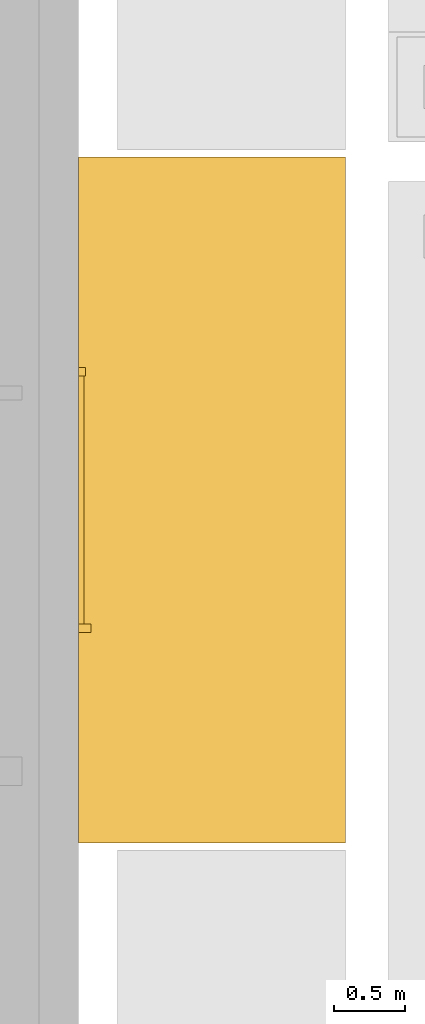
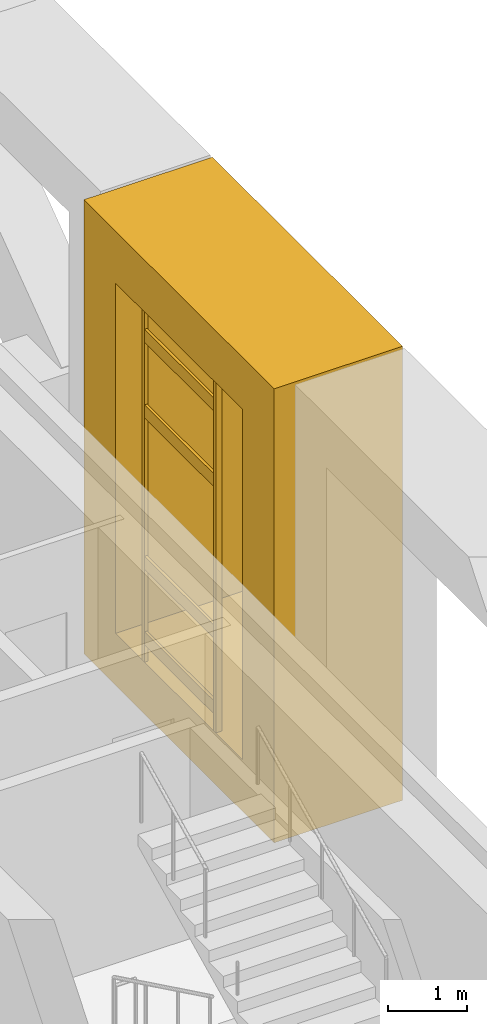
# One storey, part 20 of 22: 7 coverings.
"""IFC4 building model written with IfcOpenShell, lengths in metres."""

import ifcopenshell
import ifcopenshell.guid

model = None  # the IFC model being written
_history = None  # IfcOwnerHistory: only IFC2X3 demands one
_inside = {}  # id of a spatial element -> (the spatial element, [elements in it])
_under = {}  # id of a project, library or spatial element -> (it, [spatial elements below it])
_declared = {}  # id of a project -> (the project, [libraries it declares])
_typed = {}  # id of a type object -> (the type object, [elements of that type])
_made_of = {}  # id of a material, layer set ... -> (it, [elements and type objects made of it])


def new_model(schema):
    """Start an empty IFC model of exactly this schema.

    Asked for "IFC4X3", IfcOpenShell would pick the latest addendum, in which some entities
    have other attributes; the version numbers below select the first issue.
    IFC2X3 requires an IfcOwnerHistory on every rooted entity: one is made here for all.
    """
    global model, _history
    if schema == "IFC4X3":
        model = ifcopenshell.file(schema_version=(4, 3, 0, 0))
    else:
        model = ifcopenshell.file(schema=schema)
    _inside.clear()
    _under.clear()
    _declared.clear()
    _typed.clear()
    _made_of.clear()
    _history = None
    if model.schema == "IFC2X3":
        org = make("IfcOrganization", Name="unknown")
        user = make(
            "IfcPersonAndOrganization",
            ThePerson=make("IfcPerson", FamilyName="unknown"),
            TheOrganization=org,
        )
        app = make(
            "IfcApplication",
            ApplicationDeveloper=org,
            Version="unknown",
            ApplicationFullName="unknown",
            ApplicationIdentifier="unknown",
        )
        _history = make(
            "IfcOwnerHistory",
            OwningUser=user,
            OwningApplication=app,
            ChangeAction="ADDED",
            CreationDate=0,
        )
    return model


def make(cls, **values):
    """One entity of the class cls with the attributes given. An attribute that is None is left unset."""
    return model.create_entity(
        cls, **{name: value for name, value in values.items() if value is not None}
    )


def rooted(cls, **values):
    """An entity with a GlobalId (a new one), such as an element, a storey or a relation."""
    return make(cls, GlobalId=ifcopenshell.guid.new(), OwnerHistory=_history, **values)


def si_unit(unit_type, name, prefix=None):
    """IfcSIUnit, for example si_unit("LENGTHUNIT", "METRE", prefix="MILLI")."""
    return make("IfcSIUnit", UnitType=unit_type, Prefix=prefix, Name=name)


def assignment(units):
    """IfcUnitAssignment: the units of a project."""
    return None if units is None else make("IfcUnitAssignment", Units=units)


def point(xyz):
    """IfcCartesianPoint."""
    return None if xyz is None else make("IfcCartesianPoint", Coordinates=xyz)


def direction(xyz):
    """IfcDirection."""
    return None if xyz is None else make("IfcDirection", DirectionRatios=xyz)


def frame(location, z_axis=None, x_axis=None):
    """IfcAxis2Placement3D, a coordinate frame: its origin and axes. An axis left out is left unset."""
    return make(
        "IfcAxis2Placement3D",
        Location=point(location),
        Axis=direction(z_axis),
        RefDirection=direction(x_axis),
    )


def frame_2d(location, x_axis=None):
    """IfcAxis2Placement2D, a coordinate frame in the plane: its origin and x axis."""
    return make(
        "IfcAxis2Placement2D", Location=point(location), RefDirection=direction(x_axis)
    )


def origin():
    """The frame at (0, 0, 0) with its axes left unset."""
    return frame((0.0, 0.0, 0.0))


def origin_2d():
    """The frame at (0, 0) in the plane with its x axis left unset."""
    return frame_2d((0.0, 0.0))


def place(relative_to, where):
    """IfcLocalPlacement: puts the frame where relative to a parent placement (None: the world)."""
    return make(
        "IfcLocalPlacement", PlacementRelTo=relative_to, RelativePlacement=where
    )


def context(
    kind, dimensions, precision=None, world=None, true_north=None, identifier=None
):
    """IfcGeometricRepresentationContext, for example the 3D "Model" context."""
    return make(
        "IfcGeometricRepresentationContext",
        ContextIdentifier=identifier,
        ContextType=kind,
        CoordinateSpaceDimension=dimensions,
        Precision=precision,
        WorldCoordinateSystem=world,
        TrueNorth=true_north,
    )


def subcontext(parent, identifier, kind, view, scale=None):
    """IfcGeometricRepresentationSubContext, for example "Body" below "Model"."""
    return make(
        "IfcGeometricRepresentationSubContext",
        ContextIdentifier=identifier,
        ContextType=kind,
        ParentContext=parent,
        TargetScale=scale,
        TargetView=view,
    )


def project(units=None, contexts=None):
    """IfcProject with its units and contexts."""
    return rooted(
        "IfcProject",
        Name="project",
        RepresentationContexts=contexts,
        UnitsInContext=assignment(units),
    )


def spatial(cls, under=None, at=None, **own):
    """A site, building, storey or space (cls), placed at a placement, below another one or the project."""
    s = rooted(cls, ObjectPlacement=at, **own)
    if under is not None:
        _under.setdefault(under.id(), (under, []))[1].append(s)
    return s


def polyline(points):
    """IfcPolyline through the points."""
    return make("IfcPolyline", Points=[point(p) for p in points])


def profile(cls, at=None, kind="AREA", **sizes):
    """A parametric profile (cls). Its sizes go by their IFC names, for example OverallWidth=200.0."""
    return make(cls, ProfileType=kind, Position=at, **sizes)


def rectangle(**sizes):
    """IfcRectangleProfileDef."""
    return profile("IfcRectangleProfileDef", **sizes)


def outline(outer, holes=None, kind="AREA"):
    """IfcArbitraryClosedProfileDef: a profile drawn as a closed curve; with holes, ...WithVoids."""
    if holes is None:
        return make("IfcArbitraryClosedProfileDef", ProfileType=kind, OuterCurve=outer)
    return make(
        "IfcArbitraryProfileDefWithVoids",
        ProfileType=kind,
        OuterCurve=outer,
        InnerCurves=holes,
    )


def extrude(swept, where, along, depth):
    """IfcExtrudedAreaSolid: the profile swept, set in the frame where, extruded along a direction by depth."""
    return make(
        "IfcExtrudedAreaSolid",
        SweptArea=swept,
        Position=where,
        ExtrudedDirection=direction(along),
        Depth=depth,
    )


def shape(context_of_items, identifier, shape_type, items):
    """IfcShapeRepresentation: the items that make up one representation, for example the "Body"."""
    return make(
        "IfcShapeRepresentation",
        ContextOfItems=context_of_items,
        RepresentationIdentifier=identifier,
        RepresentationType=shape_type,
        Items=items,
    )


def material(Name=None, Category=None):
    """IfcMaterial."""
    return make("IfcMaterial", Name=Name, Category=Category)


def made_of(thing, what):
    """Note that an element or type object is made of a material, layer set ...; save() writes the relation."""
    if what is not None:
        _made_of.setdefault(what.id(), (what, []))[1].append(thing)
    return thing


def type_object(cls, material=None, **own):
    """A type object (cls), such as IfcWallType, which elements share."""
    return made_of(rooted(cls, **own), material)


def element(
    cls,
    number,
    at=None,
    inside=None,
    cuts=None,
    type_object=None,
    material=None,
    context=None,
    identifier="Body",
    shape_type=None,
    held_by="IfcProductDefinitionShape",
    body=None,
    shapes=None,
    **own,
):
    """One element of the class cls, such as IfcWall. Its Tag is "e" and its number.

    at: its placement. inside: the storey or other place that contains it. cuts: it is an
    opening in that element (IfcRelVoidsElement). A single representation is given by context,
    identifier, shape_type and body (its items); several are given by shapes. held_by: the class
    of the entity that holds the representations. save() writes the other relations.
    """
    e = rooted(cls, Tag="e%d" % number, ObjectPlacement=at, **own)
    if body is not None:
        shapes = [shape(context, identifier, shape_type, body)]
    if shapes is not None:
        e.Representation = make(held_by, Representations=shapes)
    if inside is not None:
        _inside.setdefault(inside.id(), (inside, []))[1].append(e)
    if cuts is not None:
        rooted(
            "IfcRelVoidsElement", RelatingBuildingElement=cuts, RelatedOpeningElement=e
        )
    if type_object is not None:
        _typed.setdefault(type_object.id(), (type_object, []))[1].append(e)
    return made_of(e, material)


def aggregate(whole, parts):
    """IfcRelAggregates: a whole, such as a stair, and the parts it consists of."""
    return rooted("IfcRelAggregates", RelatingObject=whole, RelatedObjects=parts)


def save(model, path):
    """Write the relations noted so far, then the file.

    IfcRelAggregates (storeys below a building ...), IfcRelContainedInSpatialStructure (elements
    in a storey), IfcRelDefinesByType, IfcRelAssociatesMaterial and IfcRelDeclares: one each for
    every whole, place, type object, material and project.
    """
    for whole, parts in _under.values():
        aggregate(whole, parts)
    for where, things in _inside.values():
        rooted(
            "IfcRelContainedInSpatialStructure",
            RelatedElements=things,
            RelatingStructure=where,
        )
    for kind, things in _typed.values():
        rooted("IfcRelDefinesByType", RelatedObjects=things, RelatingType=kind)
    for what, things in _made_of.values():
        rooted("IfcRelAssociatesMaterial", RelatedObjects=things, RelatingMaterial=what)
    for by, libraries in _declared.values():
        rooted("IfcRelDeclares", RelatingContext=by, RelatedDefinitions=libraries)
    model.write(path)


model = new_model("IFC4")

# Units and contexts
model_context = context("Model", 3, precision=1e-05, world=origin(), true_north=direction((0.0, 1.0)))
body_context = subcontext(model_context, "Body", "Model", "MODEL_VIEW")
ifc_project = project(units=[si_unit("LENGTHUNIT", "METRE"), si_unit("AREAUNIT", "SQUARE_METRE"), si_unit("VOLUMEUNIT", "CUBIC_METRE"), si_unit("PLANEANGLEUNIT", "RADIAN"), si_unit("MASSUNIT", "GRAM", prefix="KILO")], contexts=[model_context])

# Site, building, storey
site_placement = place(None, origin())
site = spatial("IfcSite", under=ifc_project, at=site_placement, CompositionType="ELEMENT")
building_placement = place(site_placement, origin())
building = spatial("IfcBuilding", under=site, at=building_placement, Name="Cobrizo Arcos Hotel Tower", CompositionType="ELEMENT")
storey_placement = place(building_placement, frame((0.0, 0.0, 169.0)))
storey = spatial("IfcBuildingStorey", under=building, at=storey_placement, Name="L43", CompositionType="ELEMENT", Elevation=169.0)

# Coverings
ifc_material_1 = material(Name="Aluminium 6063-T6 anodised bronze", Category="aluminium")
covering_type_1 = type_object("IfcCoveringType", Name="FIN-F 1875", PredefinedType="CLADDING", material=ifc_material_1)
covering_1_placement = place(storey_placement, frame((21.875, -2.403564453125, 0.0), z_axis=(1.0, 0.0, 0.0), x_axis=(0.0, 1.0, 0.0)))
element("IfcCovering", 1, at=covering_1_placement, inside=storey, type_object=covering_type_1, Name="Fin frame 218", PredefinedType="CLADDING", context=body_context, shape_type="SweptSolid", body=[
    extrude(outline(polyline([(0.0, 7.0), (0.0, 0.0), (4.80712890625, 0.0), (4.80712890625, 7.0), (0.0, 7.0)]), holes=[polyline([(4.007080078125, 0.800048828125), (0.800048828125, 0.800048828125), (0.800048828125, 6.199951171875), (4.007080078125, 6.199951171875), (4.007080078125, 0.800048828125)])]), origin(), (0.0, 0.0, 1.0), 1.875),
])
ifc_material_2 = material(Name="Aluminium 6063-T6 anodised pale", Category="aluminium")
covering_type_2 = type_object("IfcCoveringType", Name="RS-1 rainscreen rib 60x90", PredefinedType="CLADDING", material=ifc_material_2)
covering_2_placement = place(storey_placement, frame((21.919921875, -0.89990234375, 0.800048828125), z_axis=(0.0, 0.0, 1.0), x_axis=(0.0, 1.0, 0.0)))
element("IfcCovering", 2, at=covering_2_placement, inside=storey, type_object=covering_type_2, Name="Rainscreen rib 175", PredefinedType="CLADDING", context=body_context, shape_type="SweptSolid", body=[
    extrude(rectangle(XDim=0.06005859375, YDim=0.090087890625, at=origin_2d()), origin(), (0.0, 0.0, 1.0), 5.39990234375),
])
covering_type_3 = type_object("IfcCoveringType", Name="RS-2 rainscreen rib 60x50", PredefinedType="CLADDING", material=ifc_material_2)
covering_3_placement = place(storey_placement, frame((21.89990234375, 0.89990234375, 0.800048828125), z_axis=(0.0, 0.0, 1.0), x_axis=(0.0, 1.0, 0.0)))
element("IfcCovering", 3, at=covering_3_placement, inside=storey, type_object=covering_type_3, Name="Rainscreen rib 176", PredefinedType="CLADDING", context=body_context, shape_type="SweptSolid", body=[
    extrude(rectangle(XDim=0.06005859375, YDim=0.050048828125, at=origin_2d()), origin(), (0.0, 0.0, 1.0), 5.39990234375),
])
covering_type_4 = type_object("IfcCoveringType", Name="RS-3 rainscreen louvre slat 200x40", PredefinedType="CLADDING", material=ifc_material_2)
for number, where, z_axis, x_axis, name in (
    (4, (21.89501953125, 0.0, 1.06689453125), (0.0, 0.0, 1.0), (0.0, 1.0, 0.0), "Rainscreen slat 21"),
    (5, (21.89501953125, 0.0, 2.2333984375), (0.0, 0.0, 1.0), (0.0, 1.0, 0.0), "Rainscreen slat 22"),
    (6, (21.89501953125, 0.0, 4.56689453125), (0.0, 0.0, 1.0), (0.0, 1.0, 0.0), "Rainscreen slat 23"),
    (7, (21.89501953125, 0.0, 5.7333984375), (0.0, 0.0, 1.0), (0.0, 1.0, 0.0), "Rainscreen slat 24"),
):
    element("IfcCovering", number, at=place(storey_placement, frame(where, z_axis=z_axis, x_axis=x_axis)), inside=storey, type_object=covering_type_4, Name=name, PredefinedType="CLADDING", context=body_context, shape_type="SweptSolid", body=[
        extrude(rectangle(XDim=1.739990234375, YDim=0.0400390625, at=origin_2d()), origin(), (0.0, 0.0, 1.0), 0.199951171875),
    ])

save(model, "model.ifc")
